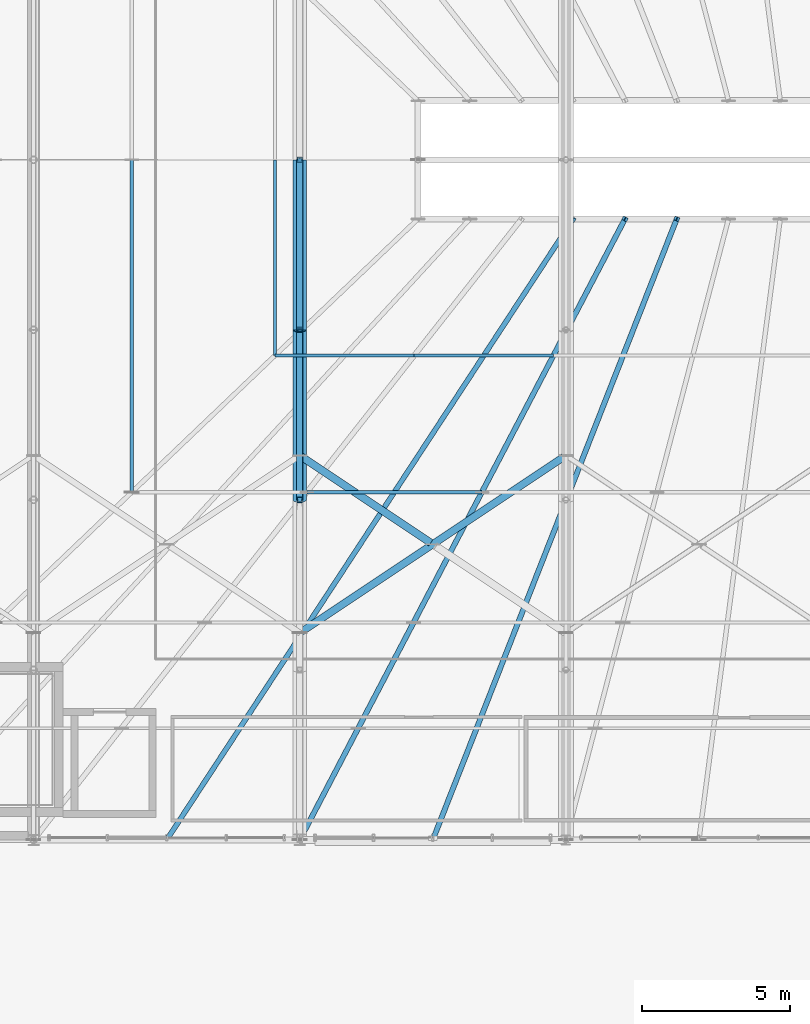
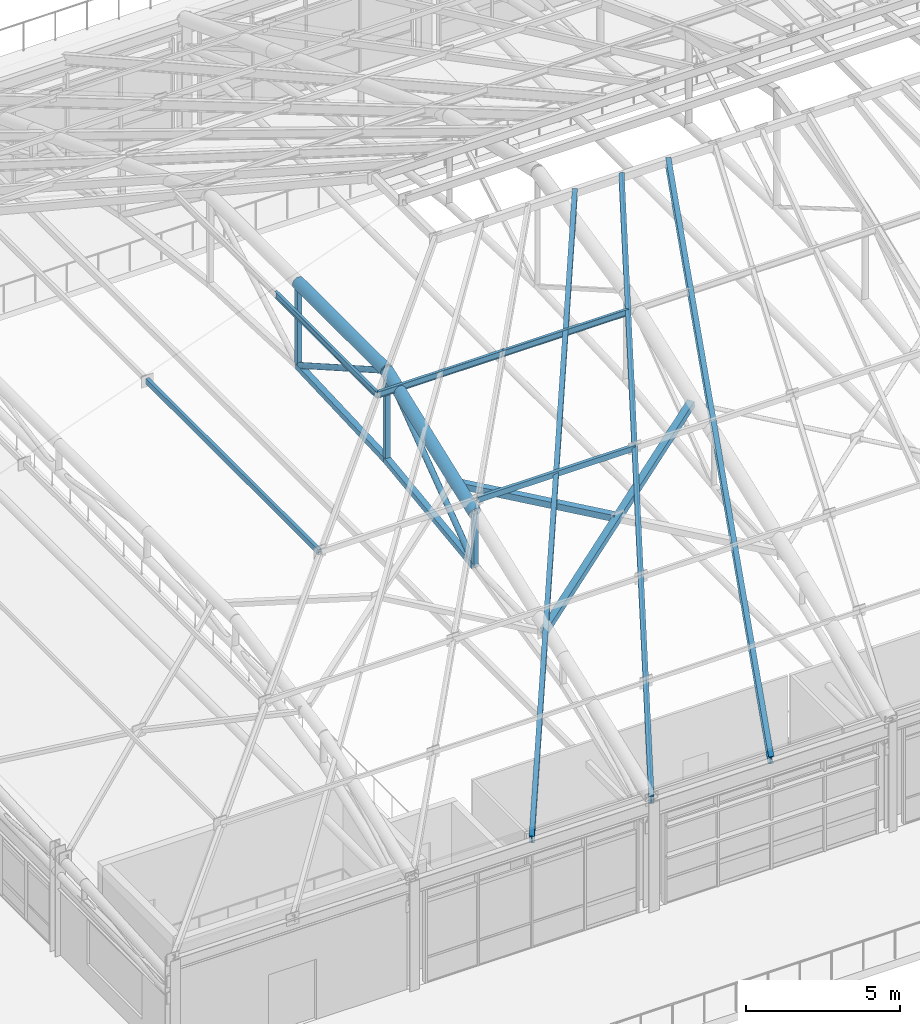
# One storey, part 26 of 168: 17 members, 2 beams.
"""IFC4 building model written with IfcOpenShell, lengths in metres."""

from ifc_helpers import new_model, si_unit, direction, frame, origin, origin_2d, place, context, subcontext, project, spatial, hollow_rectangle, hollow_circle, i_section, extrude, material, material_profile, profile_set, type_object, element, save


model = new_model("IFC4")

# Units and contexts
model_context = context("Model", 3, precision=1e-05, world=origin(), true_north=direction((0.0, 1.0)))
body_context = subcontext(model_context, "Body", "Model", "MODEL_VIEW")
ifc_project = project(units=[si_unit("LENGTHUNIT", "METRE"), si_unit("AREAUNIT", "SQUARE_METRE"), si_unit("VOLUMEUNIT", "CUBIC_METRE"), si_unit("PLANEANGLEUNIT", "RADIAN"), si_unit("MASSUNIT", "GRAM", prefix="KILO"), si_unit("THERMODYNAMICTEMPERATUREUNIT", "KELVIN"), si_unit("POWERUNIT", "WATT")], contexts=[model_context])

# Site, building, storey
site_placement = place(None, origin())
site = spatial("IfcSite", under=ifc_project, at=site_placement, CompositionType="ELEMENT")
building_placement = place(site_placement, origin())
building = spatial("IfcBuilding", under=site, at=building_placement, Name="Tepalcoro Natatorium and Aquatics Centre", CompositionType="ELEMENT")
storey_placement = place(building_placement, frame((0.0, 0.0, 10.199951171875)))
storey = spatial("IfcBuildingStorey", under=building, at=storey_placement, Name="L02", CompositionType="ELEMENT", Elevation=10.199951171875)

# Beams
ifc_material_1 = material(Name="Terracotta Painted Hollow Steel ASTM A500 Grade C (Fy 345 MPa)", Category="masonry")
ifc_material_profile_1 = material_profile(ifc_material_1, hollow_circle(Radius=0.228515625, WallThickness=0.02001953125, at=origin_2d()), Name="CHS457X20")
ifc_profile_set_1 = profile_set([ifc_material_profile_1], Name="Terracotta Painted Hollow Steel ASTM A500 Grade C (Fy 345 MPa)")
beam_type = type_object("IfcBeamType", Name="AC_CHS457x20", PredefinedType="USERDEFINED", material=ifc_profile_set_1)
beam_1_placement = place(storey_placement, frame((71.0, 24.5, 8.763427734375), z_axis=(0.0, 0.935595776827, 0.35307299866), x_axis=(-1.0, 0.0, 0.0)))
element("IfcBeam", 1, at=beam_1_placement, inside=storey, type_object=beam_type, Name="V1 Arched Truss Top Chord 3", ObjectType="ARCH CHORD", PredefinedType="USERDEFINED", context=body_context, shape_type="SweptSolid", body=[
    extrude(hollow_circle(Radius=0.228515625, WallThickness=0.02001953125, at=origin_2d()), origin(), (0.0, 0.0, 1.0), 6.145751953125),
])
beam_2_placement = place(storey_placement, frame((71.0, 30.25, 10.933349609375), z_axis=(0.0, 1.0, 0.0), x_axis=(-1.0, 0.0, 0.0)))
element("IfcBeam", 2, at=beam_2_placement, inside=storey, type_object=beam_type, Name="V1 Arched Truss Top Chord 3", ObjectType="ARCH CHORD", PredefinedType="USERDEFINED", context=body_context, shape_type="SweptSolid", body=[
    extrude(hollow_circle(Radius=0.228515625, WallThickness=0.02001953125, at=origin_2d()), origin(), (0.0, 0.0, 1.0), 5.75),
])

# Members
ifc_material_2 = material(Name="Hollow Steel ASTM A500 Grade C (Fy 345 MPa)", Category="steel")
ifc_material_profile_2 = material_profile(ifc_material_2, hollow_rectangle(XDim=0.25, YDim=0.25, WallThickness=0.013916015625, at=origin_2d()), Name="HSS250X250X14")
ifc_profile_set_2 = profile_set([ifc_material_profile_2], Name="Hollow Steel ASTM A500 Grade C (Fy 345 MPa)")
member_type_1 = type_object("IfcMemberType", Name="MB_BR_HSS250x250x14", PredefinedType="BRACE", material=ifc_profile_set_2)
member_1_placement = place(storey_placement, frame((71.0, 20.0, 6.768310546875), z_axis=(0.813984840573, 0.542656560382, 0.207249937978), x_axis=(-0.554700196225, 0.832050294338, 0.0)))
element("IfcMember", 3, at=member_1_placement, inside=storey, type_object=member_type_1, Name="V1 Pyramid Roof Wind Brace", PredefinedType="BRACE", context=body_context, shape_type="SweptSolid", body=[
    extrude(hollow_rectangle(XDim=0.25, YDim=0.25, WallThickness=0.013916015625, at=origin_2d()), origin(), (0.0, 0.0, 1.0), 11.056640625),
])
member_2_placement = place(storey_placement, frame((75.410400390625, 23.059814453125, 7.936767578125), z_axis=(-0.813988111584, 0.54264372144, 0.20727070652), x_axis=(-0.55468956716, -0.832057380283, 0.0)))
element("IfcMember", 4, at=member_2_placement, inside=storey, type_object=member_type_1, Name="V1 Pyramid Roof Split Wind Brace", PredefinedType="BRACE", context=body_context, shape_type="SweptSolid", body=[
    extrude(hollow_rectangle(XDim=0.25, YDim=0.25, WallThickness=0.013916015625, at=origin_2d()), origin(), (0.0, 0.0, 1.0), 5.418212890625),
])
ifc_material_profile_3 = material_profile(ifc_material_1, hollow_rectangle(XDim=0.219970703125, YDim=0.219970703125, WallThickness=0.011962890625, at=origin_2d()), Name="HSS220X220X12")
ifc_profile_set_3 = profile_set([ifc_material_profile_3], Name="Terracotta Painted Hollow Steel ASTM A500 Grade C (Fy 345 MPa)")
member_type_2 = type_object("IfcMemberType", Name="MB_CH_HSS220x220x12", PredefinedType="CHORD", material=ifc_profile_set_3)
member_3_placement = place(storey_placement, frame((71.0, 24.5, 6.66259765625), z_axis=(0.0, 0.991809731939, 0.127724138798), x_axis=(-1.0, 0.0, 0.0)))
element("IfcMember", 5, at=member_3_placement, inside=storey, type_object=member_type_2, Name="V1 Arched Truss Bottom Chord 3", PredefinedType="CHORD", context=body_context, shape_type="SweptSolid", body=[
    extrude(hollow_rectangle(XDim=0.219970703125, YDim=0.219970703125, WallThickness=0.011962890625, at=origin_2d()), origin(), (0.0, 0.0, 1.0), 5.79736328125),
])
member_4_placement = place(storey_placement, frame((71.0, 30.25, 7.403076171875), z_axis=(0.0, 0.999078119626, 0.042929137953), x_axis=(-1.0, 0.0, 0.0)))
element("IfcMember", 6, at=member_4_placement, inside=storey, type_object=member_type_2, Name="V1 Arched Truss Bottom Chord 3", PredefinedType="CHORD", context=body_context, shape_type="SweptSolid", body=[
    extrude(hollow_rectangle(XDim=0.219970703125, YDim=0.219970703125, WallThickness=0.011962890625, at=origin_2d()), origin(), (0.0, 0.0, 1.0), 5.75537109375),
])
ifc_material_profile_4 = material_profile(ifc_material_2, hollow_rectangle(XDim=0.1201171875, YDim=0.219970703125, WallThickness=0.010009765625, at=origin_2d()), Name="HSS220X120X10")
ifc_profile_set_4 = profile_set([ifc_material_profile_4], Name="Hollow Steel ASTM A500 Grade C (Fy 345 MPa)")
member_type_3 = type_object("IfcMemberType", Name="MB_PR_HSS220x120x10", PredefinedType="PURLIN", material=ifc_profile_set_4)
member_5_placement = place(storey_placement, frame((71.239990234375, 24.760009765625, 9.05419921875), z_axis=(1.0, 0.0, 0.0), x_axis=(0.0, 1.0, 0.0)))
element("IfcMember", 7, at=member_5_placement, inside=storey, type_object=member_type_3, Name="Pyramid Horizontal Purlin South", PredefinedType="PURLIN", context=body_context, shape_type="SweptSolid", body=[
    extrude(hollow_rectangle(XDim=0.1201171875, YDim=0.219970703125, WallThickness=0.010009765625, at=origin_2d()), origin(), (0.0, 0.0, 1.0), 5.919921875),
])
member_6_placement = place(storey_placement, frame((65.320068359375, 24.760009765625, 9.033203125), z_axis=(0.0, 1.0, 0.0), x_axis=(-1.0, 0.0, 0.0)))
element("IfcMember", 8, at=member_6_placement, inside=storey, type_object=member_type_3, Name="Pyramid Horizontal Purlin W", PredefinedType="PURLIN", context=body_context, shape_type="SweptSolid", body=[
    extrude(hollow_rectangle(XDim=0.1201171875, YDim=0.219970703125, WallThickness=0.010009765625, at=origin_2d()), origin(), (0.0, 0.0, 1.0), 11.239990234375),
])
ifc_material_3 = material(Name="Steel ASTM A992 Grade 50 (Fy 345 MPa)", Category="steel")
ifc_material_profile_5 = material_profile(ifc_material_3, i_section(OverallWidth=0.10205078125, OverallDepth=0.259033203125, WebThickness=0.006103515625, FlangeThickness=0.010009765625, FilletRadius=0.013916015625, at=origin_2d()), Name="W10X19")
ifc_profile_set_5 = profile_set([ifc_material_profile_5], Name="Steel ASTM A992 Grade 50 (Fy 345 MPa)")
member_type_4 = type_object("IfcMemberType", Name="MB_PR_W10x19", PredefinedType="PURLIN", material=ifc_profile_set_5)
member_7_placement = place(storey_placement, frame((70.159912109375, 29.3798828125, 10.799072265625), z_axis=(1.0, 0.0, 0.0), x_axis=(0.0, 1.0, 0.0)))
element("IfcMember", 9, at=member_7_placement, inside=storey, type_object=member_type_4, Name="Pyramid Horizontal Purlin South", PredefinedType="PURLIN", context=body_context, shape_type="SweptSolid", body=[
    extrude(i_section(OverallWidth=0.10205078125, OverallDepth=0.259033203125, WebThickness=0.006103515625, FlangeThickness=0.010009765625, FilletRadius=0.013916015625, at=origin_2d()), origin(), (0.0, 0.0, 1.0), 4.710205078125),
])
member_8_placement = place(storey_placement, frame((74.8701171875, 29.3798828125, 10.799072265625), z_axis=(1.0, 0.0, 0.0), x_axis=(0.0, 1.0, 0.0)))
element("IfcMember", 10, at=member_8_placement, inside=storey, type_object=member_type_4, Name="Pyramid Horizontal Purlin South", PredefinedType="PURLIN", context=body_context, shape_type="SweptSolid", body=[
    extrude(i_section(OverallWidth=0.10205078125, OverallDepth=0.259033203125, WebThickness=0.006103515625, FlangeThickness=0.010009765625, FilletRadius=0.013916015625, at=origin_2d()), origin(), (0.0, 0.0, 1.0), 4.7099609375),
])
member_9_placement = place(storey_placement, frame((70.159912109375, 29.3798828125, 10.778076171875), z_axis=(0.0, 1.0, 0.0), x_axis=(-1.0, 0.0, 0.0)))
element("IfcMember", 11, at=member_9_placement, inside=storey, type_object=member_type_4, Name="Pyramid Horizontal Purlin W", PredefinedType="PURLIN", context=body_context, shape_type="SweptSolid", body=[
    extrude(i_section(OverallWidth=0.10205078125, OverallDepth=0.259033203125, WebThickness=0.006103515625, FlangeThickness=0.010009765625, FilletRadius=0.013916015625, at=origin_2d()), origin(), (0.0, 0.0, 1.0), 6.6201171875),
])
ifc_material_profile_6 = material_profile(ifc_material_1, hollow_rectangle(XDim=0.179931640625, YDim=0.179931640625, WallThickness=0.010009765625, at=origin_2d()), Name="HSS180X180X10")
ifc_profile_set_6 = profile_set([ifc_material_profile_6], Name="Terracotta Painted Hollow Steel ASTM A500 Grade C (Fy 345 MPa)")
member_type_5 = type_object("IfcMemberType", Name="MB_PS_HSS180x180x10", PredefinedType="POST", material=ifc_profile_set_6)
member_10_placement = place(storey_placement, frame((71.0, 24.5, 6.66259765625), z_axis=(0.0, 0.0, 1.0), x_axis=(1.0, 0.0, 0.0)))
element("IfcMember", 12, at=member_10_placement, inside=storey, type_object=member_type_5, Name="V1 Arched Truss Vertical Post 3", PredefinedType="POST", context=body_context, shape_type="SweptSolid", body=[
    extrude(hollow_rectangle(XDim=0.179931640625, YDim=0.179931640625, WallThickness=0.010009765625, at=origin_2d()), origin(), (0.0, 0.0, 1.0), 2.100830078125),
])
member_11_placement = place(storey_placement, frame((71.0, 30.25, 7.403076171875), z_axis=(0.0, 0.0, 1.0), x_axis=(1.0, 0.0, 0.0)))
element("IfcMember", 13, at=member_11_placement, inside=storey, type_object=member_type_5, Name="V1 Arched Truss Vertical Post 3", PredefinedType="POST", context=body_context, shape_type="SweptSolid", body=[
    extrude(hollow_rectangle(XDim=0.179931640625, YDim=0.179931640625, WallThickness=0.010009765625, at=origin_2d()), origin(), (0.0, 0.0, 1.0), 3.5302734375),
])
member_12_placement = place(storey_placement, frame((71.0, 36.0, 7.650146484375), z_axis=(0.0, 0.0, 1.0), x_axis=(1.0, 0.0, 0.0)))
element("IfcMember", 14, at=member_12_placement, inside=storey, type_object=member_type_5, Name="V1 Arched Truss Vertical Post 3", PredefinedType="POST", context=body_context, shape_type="SweptSolid", body=[
    extrude(hollow_rectangle(XDim=0.179931640625, YDim=0.179931640625, WallThickness=0.010009765625, at=origin_2d()), origin(), (0.0, 0.0, 1.0), 3.283203125),
])
ifc_material_profile_7 = material_profile(ifc_material_3, i_section(OverallWidth=0.1708984375, OverallDepth=0.35595703125, WebThickness=0.007080078125, FlangeThickness=0.011962890625, FilletRadius=0.013916015625, at=origin_2d()), Name="W14X34")
ifc_profile_set_7 = profile_set([ifc_material_profile_7], Name="Steel ASTM A992 Grade 50 (Fy 345 MPa)")
member_type_6 = type_object("IfcMemberType", Name="MB_RF_W14x34", PredefinedType="RAFTER", material=ifc_profile_set_7)
member_13_placement = place(storey_placement, frame((66.5, 13.0, 4.320068359375), z_axis=(0.520674304888, 0.795211665647, 0.310703516312), x_axis=(-0.836618528628, 0.547785941364, 0.0)))
element("IfcMember", 15, at=member_13_placement, inside=storey, type_object=member_type_6, Name="Pyramid Skylight Rafter South", PredefinedType="RAFTER", context=body_context, shape_type="SweptSolid", body=[
    extrude(i_section(OverallWidth=0.1708984375, OverallDepth=0.35595703125, WebThickness=0.007080078125, FlangeThickness=0.011962890625, FilletRadius=0.013916015625, at=origin_2d()), origin(), (0.0, 0.0, 1.0), 26.407958984375),
])
ifc_material_profile_8 = material_profile(ifc_material_3, i_section(OverallWidth=0.177978515625, OverallDepth=0.403076171875, WebThickness=0.008056640625, FlangeThickness=0.010986328125, FilletRadius=0.013916015625, at=origin_2d()), Name="W16X36")
ifc_profile_set_8 = profile_set([ifc_material_profile_8], Name="Steel ASTM A992 Grade 50 (Fy 345 MPa)")
member_type_7 = type_object("IfcMemberType", Name="MB_RF_W16x36", PredefinedType="RAFTER", material=ifc_profile_set_8)
member_14_placement = place(storey_placement, frame((71.0, 13.0, 4.320068359375), z_axis=(0.438486045758, 0.837109723719, 0.327073842015), x_axis=(-0.88583153528, 0.464006994671, 0.0)))
element("IfcMember", 16, at=member_14_placement, inside=storey, type_object=member_type_7, Name="Pyramid Skylight Rafter South", PredefinedType="RAFTER", context=body_context, shape_type="SweptSolid", body=[
    extrude(i_section(OverallWidth=0.177978515625, OverallDepth=0.403076171875, WebThickness=0.008056640625, FlangeThickness=0.010986328125, FilletRadius=0.013916015625, at=origin_2d()), origin(), (0.0, 0.0, 1.0), 25.08642578125),
])
member_15_placement = place(storey_placement, frame((75.5, 13.0, 4.320068359375), z_axis=(0.343634935257, 0.874707107928, 0.341763817002), x_axis=(-0.93075149344, 0.365652372423, 0.0)))
element("IfcMember", 17, at=member_15_placement, inside=storey, type_object=member_type_7, Name="Pyramid Skylight Rafter South", PredefinedType="RAFTER", context=body_context, shape_type="SweptSolid", body=[
    extrude(i_section(OverallWidth=0.177978515625, OverallDepth=0.403076171875, WebThickness=0.008056640625, FlangeThickness=0.010986328125, FilletRadius=0.013916015625, at=origin_2d()), origin(), (0.0, 0.0, 1.0), 24.008056640625),
])
ifc_material_profile_9 = material_profile(ifc_material_1, hollow_circle(Radius=0.109619140625, WallThickness=0.013916015625, at=origin_2d()), Name="CHS219X14")
ifc_profile_set_9 = profile_set([ifc_material_profile_9], Name="Terracotta Painted Hollow Steel ASTM A500 Grade C (Fy 345 MPa)")
member_type_8 = type_object("IfcMemberType", Name="MB_ST_CHS219x14", PredefinedType="STRUT", material=ifc_profile_set_9)
member_16_placement = place(storey_placement, frame((71.0, 24.5, 6.66259765625), z_axis=(0.0, 0.802789066278, 0.596263125696), x_axis=(-1.0, 0.0, 0.0)))
element("IfcMember", 18, at=member_16_placement, inside=storey, type_object=member_type_8, Name="V1 Arched Truss Web Diagonal 3", PredefinedType="STRUT", context=body_context, shape_type="SweptSolid", body=[
    extrude(hollow_circle(Radius=0.109619140625, WallThickness=0.013916015625, at=origin_2d()), origin(), (0.0, 0.0, 1.0), 7.16259765625),
])
member_17_placement = place(storey_placement, frame((71.0, 30.25, 10.933349609375), z_axis=(0.0, 0.868406465835, -0.495853012591), x_axis=(-1.0, 0.0, 0.0)))
element("IfcMember", 19, at=member_17_placement, inside=storey, type_object=member_type_8, Name="V1 Arched Truss Web Diagonal 3", PredefinedType="STRUT", context=body_context, shape_type="SweptSolid", body=[
    extrude(hollow_circle(Radius=0.109619140625, WallThickness=0.013916015625, at=origin_2d()), origin(), (0.0, 0.0, 1.0), 6.621337890625),
])

save(model, "model.ifc")
